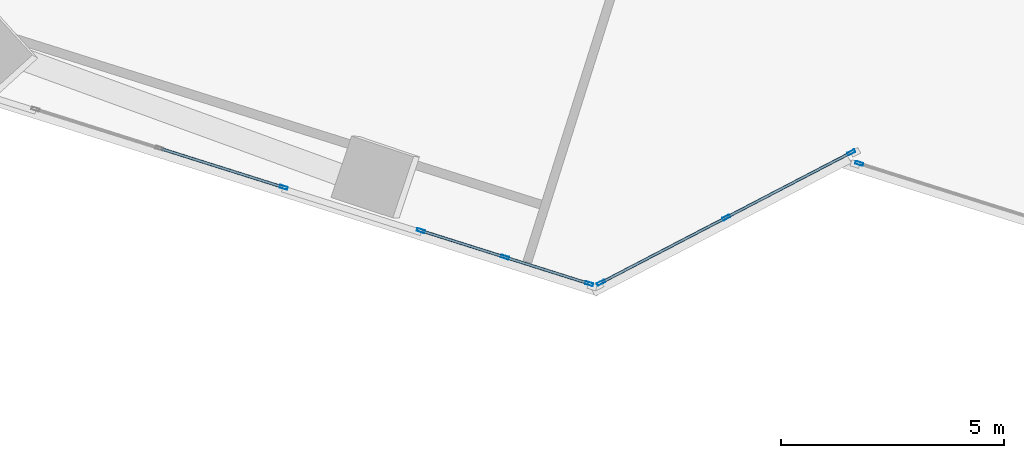
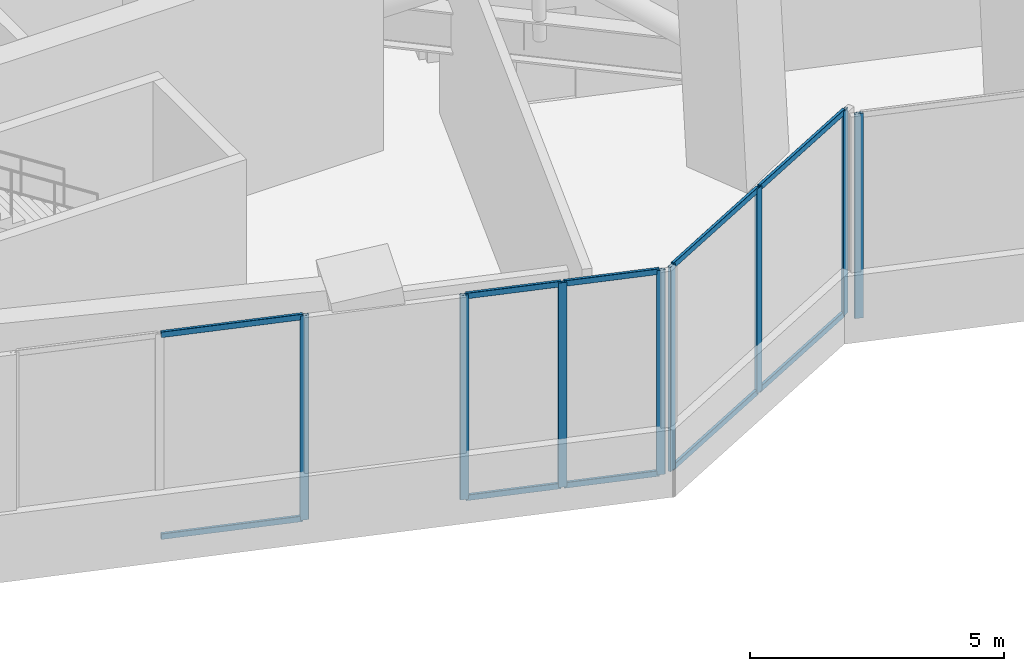
# One storey, part 4 of 29: 18 members, 4 elements without a shape of their own.
"""IFC4 building model written with IfcOpenShell, lengths in metres."""

from ifc_helpers import new_model, si_unit, direction, frame, origin, origin_2d, place, context, subcontext, project, spatial, hollow_rectangle, extrude, source, transform, mapped, material, material_profile, profile_set, type_object, element, aggregate, save


model = new_model("IFC4")

# Units and contexts
model_context = context("Model", 3, precision=1e-05, world=origin(), true_north=direction((0.0, 1.0)))
body_context = subcontext(model_context, "Body", "Model", "MODEL_VIEW")
ifc_project = project(units=[si_unit("LENGTHUNIT", "METRE"), si_unit("AREAUNIT", "SQUARE_METRE"), si_unit("VOLUMEUNIT", "CUBIC_METRE"), si_unit("PLANEANGLEUNIT", "RADIAN"), si_unit("MASSUNIT", "GRAM", prefix="KILO")], contexts=[model_context])

# Site, building, storey
site_placement = place(None, origin())
site = spatial("IfcSite", under=ifc_project, at=site_placement, CompositionType="ELEMENT")
building_placement = place(site_placement, origin())
building = spatial("IfcBuilding", under=site, at=building_placement, Name="Torre Montelarca", CompositionType="ELEMENT")
storey_placement = place(building_placement, frame((0.0, 0.0, 122.199951171875)))
storey = spatial("IfcBuildingStorey", under=building, at=storey_placement, Name="L27", CompositionType="ELEMENT", Elevation=122.199951171875)

# Curtain wall, members
ifc_material_1 = material(Name="Insulated low-E laminated glass", Category="glass")
curtain_wall_type = type_object("IfcCurtainWallType", Name="CW-SYS-Z1", PredefinedType="USERDEFINED", material=ifc_material_1)
curtain_wall_1_placement = place(storey_placement, origin())
curtain_wall_1 = element("IfcCurtainWall", 1, at=curtain_wall_1_placement, inside=storey, type_object=curtain_wall_type, Name="L27 Curtain Wall Run CW-T3-L27-E01-B3", ObjectType="UNITISED GLAZING", PredefinedType="USERDEFINED")
ifc_material_2 = material(Name="Anodised aluminium AA 6063-T6", Category="aluminium")
ifc_material_profile_1 = material_profile(ifc_material_2, hollow_rectangle(XDim=0.06494140625, YDim=0.139892578125, WallThickness=0.00390625, InnerFilletRadius=0.00390625, OuterFilletRadius=0.008056640625, at=origin_2d()), Name="ALU65X140X4", Category="aluminium")
ifc_profile_set_1 = profile_set([ifc_material_profile_1], Name="Anodised aluminium AA 6063-T6")
member_type_1 = type_object("IfcMemberType", Name="CWT-ALU140", PredefinedType="USERDEFINED", material=ifc_profile_set_1)
shared_shape_1 = source(origin(), body_context, "Body", "SweptSolid", [
    extrude(hollow_rectangle(XDim=0.06494140625, YDim=0.139892578125, WallThickness=0.00390625, InnerFilletRadius=0.00390625, OuterFilletRadius=0.008056640625, at=origin_2d()), origin(), (0.0, 0.0, 1.0), 1.9169921875),
])
member_1_placement = place(storey_placement, frame((24.413330078125, 12.134521484375, 0.032470703125), z_axis=(0.953726907375, -0.300674219297, 0.0), x_axis=(0.300674219297, 0.953726907375, 0.0)))
member_1 = element("IfcMember", 2, at=member_1_placement, type_object=member_type_1, Name="CW transom 2.1", ObjectType="TRANSOM", PredefinedType="USERDEFINED", context=body_context, shape_type="MappedRepresentation", body=[
    mapped(shared_shape_1, transform((0.0, 0.0, 0.0), scale=1.0)),
])
member_2_placement = place(storey_placement, frame((24.413330078125, 12.134521484375, 4.887451171875), z_axis=(0.953726907375, -0.300674219297, 0.0), x_axis=(0.300674219297, 0.953726907375, 0.0)))
member_2 = element("IfcMember", 3, at=member_2_placement, type_object=member_type_1, Name="CW transom 2.2", ObjectType="TRANSOM", PredefinedType="USERDEFINED", context=body_context, shape_type="MappedRepresentation", body=[
    mapped(shared_shape_1, transform((0.0, 0.0, 0.0), scale=1.0)),
])
shared_shape_2 = source(origin(), body_context, "Body", "SweptSolid", [
    extrude(hollow_rectangle(XDim=0.06494140625, YDim=0.139892578125, WallThickness=0.00390625, InnerFilletRadius=0.00390625, OuterFilletRadius=0.008056640625, at=origin_2d()), origin(), (0.0, 0.0, 1.0), 1.917236328125),
])
member_3_placement = place(storey_placement, frame((22.52294921875, 12.730712890625, 0.032470703125), z_axis=(0.953690382608, -0.300790049903, 0.0), x_axis=(0.300790049903, 0.953690382608, 0.0)))
member_3 = element("IfcMember", 4, at=member_3_placement, type_object=member_type_1, Name="CW transom 1.1", ObjectType="TRANSOM", PredefinedType="USERDEFINED", context=body_context, shape_type="MappedRepresentation", body=[
    mapped(shared_shape_2, transform((0.0, 0.0, 0.0), scale=1.0)),
])
member_4_placement = place(storey_placement, frame((22.52294921875, 12.730712890625, 4.887451171875), z_axis=(0.953690382608, -0.300790049903, 0.0), x_axis=(0.300790049903, 0.953690382608, 0.0)))
member_4 = element("IfcMember", 5, at=member_4_placement, type_object=member_type_1, Name="CW transom 1.2", ObjectType="TRANSOM", PredefinedType="USERDEFINED", context=body_context, shape_type="MappedRepresentation", body=[
    mapped(shared_shape_2, transform((0.0, 0.0, 0.0), scale=1.0)),
])

curtain_wall_2_placement = place(storey_placement, origin())
curtain_wall_2 = element("IfcCurtainWall", 6, at=curtain_wall_2_placement, inside=storey, type_object=curtain_wall_type, Name="L27 Curtain Wall Run CW-T3-L27-E02-B1", ObjectType="UNITISED GLAZING", PredefinedType="USERDEFINED")
shared_shape_3 = source(origin(), body_context, "Body", "SweptSolid", [
    extrude(hollow_rectangle(XDim=0.06494140625, YDim=0.139892578125, WallThickness=0.00390625, InnerFilletRadius=0.00390625, OuterFilletRadius=0.008056640625, at=origin_2d()), origin(), (0.0, 0.0, 1.0), 3.1025390625),
])
member_5_placement = place(storey_placement, frame((26.5673828125, 11.586669921875, 0.032470703125), z_axis=(0.887005411838, 0.461759027383, 0.0), x_axis=(-0.461759027383, 0.887005411838, 0.0)))
member_5 = element("IfcMember", 7, at=member_5_placement, type_object=member_type_1, Name="CW transom 1.1", ObjectType="TRANSOM", PredefinedType="USERDEFINED", context=body_context, shape_type="MappedRepresentation", body=[
    mapped(shared_shape_3, transform((0.0, 0.0, 0.0), scale=1.0)),
])
member_6_placement = place(storey_placement, frame((26.5673828125, 11.586669921875, 4.887451171875), z_axis=(0.887005411838, 0.461759027383, 0.0), x_axis=(-0.461759027383, 0.887005411838, 0.0)))
member_6 = element("IfcMember", 8, at=member_6_placement, type_object=member_type_1, Name="CW transom 1.2", ObjectType="TRANSOM", PredefinedType="USERDEFINED", context=body_context, shape_type="MappedRepresentation", body=[
    mapped(shared_shape_3, transform((0.0, 0.0, 0.0), scale=1.0)),
])
member_7_placement = place(storey_placement, frame((29.376953125, 13.04931640625, 0.032470703125), z_axis=(0.887054414309, 0.461664885013, 0.0), x_axis=(-0.461664885013, 0.887054414309, 0.0)))
member_7 = element("IfcMember", 9, at=member_7_placement, type_object=member_type_1, Name="CW transom 2.1", ObjectType="TRANSOM", PredefinedType="USERDEFINED", context=body_context, shape_type="MappedRepresentation", body=[
    mapped(shared_shape_3, transform((0.0, 0.0, 0.0), scale=1.0)),
])
member_8_placement = place(storey_placement, frame((29.376953125, 13.04931640625, 4.887451171875), z_axis=(0.887054414309, 0.461664885013, 0.0), x_axis=(-0.461664885013, 0.887054414309, 0.0)))
member_8 = element("IfcMember", 10, at=member_8_placement, type_object=member_type_1, Name="CW transom 2.2", ObjectType="TRANSOM", PredefinedType="USERDEFINED", context=body_context, shape_type="MappedRepresentation", body=[
    mapped(shared_shape_3, transform((0.0, 0.0, 0.0), scale=1.0)),
])

# Curtain wall, member
curtain_wall_3_placement = place(storey_placement, origin())
curtain_wall_3 = element("IfcCurtainWall", 11, at=curtain_wall_3_placement, inside=storey, type_object=curtain_wall_type, Name="L27 Curtain Wall Run CW-T3-L27-E01-B2", ObjectType="UNITISED GLAZING", PredefinedType="USERDEFINED")
ifc_material_profile_2 = material_profile(ifc_material_2, hollow_rectangle(XDim=0.06494140625, YDim=0.179931640625, WallThickness=0.00390625, InnerFilletRadius=0.00390625, OuterFilletRadius=0.008056640625, at=origin_2d()), Name="ALU65X180X4", Category="aluminium")
ifc_profile_set_2 = profile_set([ifc_material_profile_2], Name="Anodised aluminium AA 6063-T6")
member_type_2 = type_object("IfcMemberType", Name="CWM-ALU180", PredefinedType="MULLION", material=ifc_profile_set_2)
shared_shape_4 = source(origin(), body_context, "Body", "SweptSolid", [
    extrude(hollow_rectangle(XDim=0.06494140625, YDim=0.179931640625, WallThickness=0.00390625, InnerFilletRadius=0.00390625, OuterFilletRadius=0.008056640625, at=origin_2d()), origin(), (0.0, 0.0, 1.0), 4.920166015625),
])
member_9_placement = place(storey_placement, frame((19.410888671875, 13.711669921875, 0.0), z_axis=(0.0, 0.0, 1.0), x_axis=(0.300702109461, 0.953718114207, 0.0)))
member_9 = element("IfcMember", 12, at=member_9_placement, type_object=member_type_2, Name="CW mullion 3", PredefinedType="MULLION", context=body_context, shape_type="MappedRepresentation", body=[
    mapped(shared_shape_4, transform((0.0, 0.0, 0.0), scale=1.0)),
])

# Member
member_10_placement = place(storey_placement, frame((22.491943359375, 12.740478515625, 0.0), z_axis=(0.0, 0.0, 1.0), x_axis=(0.300706102902, 0.953716855087, 0.0)))
member_10 = element("IfcMember", 13, at=member_10_placement, type_object=member_type_2, Name="CW mullion 1", PredefinedType="MULLION", context=body_context, shape_type="MappedRepresentation", body=[
    mapped(shared_shape_4, transform((0.0, 0.0, 0.0), scale=1.0)),
])

member_11_placement = place(storey_placement, frame((24.38232421875, 12.144287109375, 0.0), z_axis=(0.0, 0.0, 1.0), x_axis=(0.300706102902, 0.953716855087, 0.0)))
member_11 = element("IfcMember", 14, at=member_11_placement, type_object=member_type_2, Name="CW mullion 2", PredefinedType="MULLION", context=body_context, shape_type="MappedRepresentation", body=[
    mapped(shared_shape_4, transform((0.0, 0.0, 0.0), scale=1.0)),
])

member_12_placement = place(storey_placement, frame((26.272705078125, 11.54833984375, 0.0), z_axis=(0.0, 0.0, 1.0), x_axis=(0.300706102902, 0.953716855087, 0.0)))
member_12 = element("IfcMember", 15, at=member_12_placement, type_object=member_type_2, Name="CW mullion 3", PredefinedType="MULLION", context=body_context, shape_type="MappedRepresentation", body=[
    mapped(shared_shape_4, transform((0.0, 0.0, 0.0), scale=1.0)),
])

aggregate(curtain_wall_1, [member_10, member_11, member_12, member_3, member_4, member_1, member_2])

member_13_placement = place(storey_placement, frame((26.53857421875, 11.571533203125, 0.0), z_axis=(0.0, 0.0, 1.0), x_axis=(-0.461741342198, 0.887014618203, 0.0)))
member_13 = element("IfcMember", 16, at=member_13_placement, type_object=member_type_2, Name="CW mullion 1", PredefinedType="MULLION", context=body_context, shape_type="MappedRepresentation", body=[
    mapped(shared_shape_4, transform((0.0, 0.0, 0.0), scale=1.0)),
])

member_14_placement = place(storey_placement, frame((29.34814453125, 13.0341796875, 0.0), z_axis=(0.0, 0.0, 1.0), x_axis=(-0.461741342198, 0.887014618203, 0.0)))
member_14 = element("IfcMember", 17, at=member_14_placement, type_object=member_type_2, Name="CW mullion 2", PredefinedType="MULLION", context=body_context, shape_type="MappedRepresentation", body=[
    mapped(shared_shape_4, transform((0.0, 0.0, 0.0), scale=1.0)),
])

member_15_placement = place(storey_placement, frame((32.157958984375, 14.496826171875, 0.0), z_axis=(0.0, 0.0, 1.0), x_axis=(-0.461741342198, 0.887014618203, 0.0)))
member_15 = element("IfcMember", 18, at=member_15_placement, type_object=member_type_2, Name="CW mullion 3", PredefinedType="MULLION", context=body_context, shape_type="MappedRepresentation", body=[
    mapped(shared_shape_4, transform((0.0, 0.0, 0.0), scale=1.0)),
])

aggregate(curtain_wall_2, [member_13, member_14, member_15, member_5, member_6, member_7, member_8])

# Curtain wall, member
curtain_wall_4_placement = place(storey_placement, origin())
curtain_wall_4 = element("IfcCurtainWall", 19, at=curtain_wall_4_placement, inside=storey, type_object=curtain_wall_type, Name="L27 Curtain Wall Run CW-T3-L27-E04-B1", ObjectType="UNITISED GLAZING", PredefinedType="USERDEFINED")
member_16_placement = place(storey_placement, frame((32.33837890625, 14.249267578125, 0.0), z_axis=(0.0, 0.0, 1.0), x_axis=(0.300700885116, 0.953718500235, 0.0)))
member_16 = element("IfcMember", 20, at=member_16_placement, type_object=member_type_2, Name="CW mullion 1", PredefinedType="MULLION", context=body_context, shape_type="MappedRepresentation", body=[
    mapped(shared_shape_4, transform((0.0, 0.0, 0.0), scale=1.0)),
])
aggregate(curtain_wall_4, [member_16])

# Member
shared_shape_5 = source(origin(), body_context, "Body", "SweptSolid", [
    extrude(hollow_rectangle(XDim=0.06494140625, YDim=0.139892578125, WallThickness=0.00390625, InnerFilletRadius=0.00390625, OuterFilletRadius=0.008056640625, at=origin_2d()), origin(), (0.0, 0.0, 1.0), 2.857421875),
])
member_17_placement = place(storey_placement, frame((16.655029296875, 14.580810546875, 0.032470703125), z_axis=(0.953701391617, -0.300755142313, 0.0), x_axis=(0.300755142313, 0.953701391617, 0.0)))
member_17 = element("IfcMember", 21, at=member_17_placement, type_object=member_type_1, Name="CW transom 2.1", ObjectType="TRANSOM", PredefinedType="USERDEFINED", context=body_context, shape_type="MappedRepresentation", body=[
    mapped(shared_shape_5, transform((0.0, 0.0, 0.0), scale=1.0)),
])

member_18_placement = place(storey_placement, frame((16.655029296875, 14.580810546875, 4.887451171875), z_axis=(0.953701391617, -0.300755142313, 0.0), x_axis=(0.300755142313, 0.953701391617, 0.0)))
member_18 = element("IfcMember", 22, at=member_18_placement, type_object=member_type_1, Name="CW transom 2.2", ObjectType="TRANSOM", PredefinedType="USERDEFINED", context=body_context, shape_type="MappedRepresentation", body=[
    mapped(shared_shape_5, transform((0.0, 0.0, 0.0), scale=1.0)),
])

aggregate(curtain_wall_3, [member_9, member_17, member_18])

save(model, "model.ifc")
